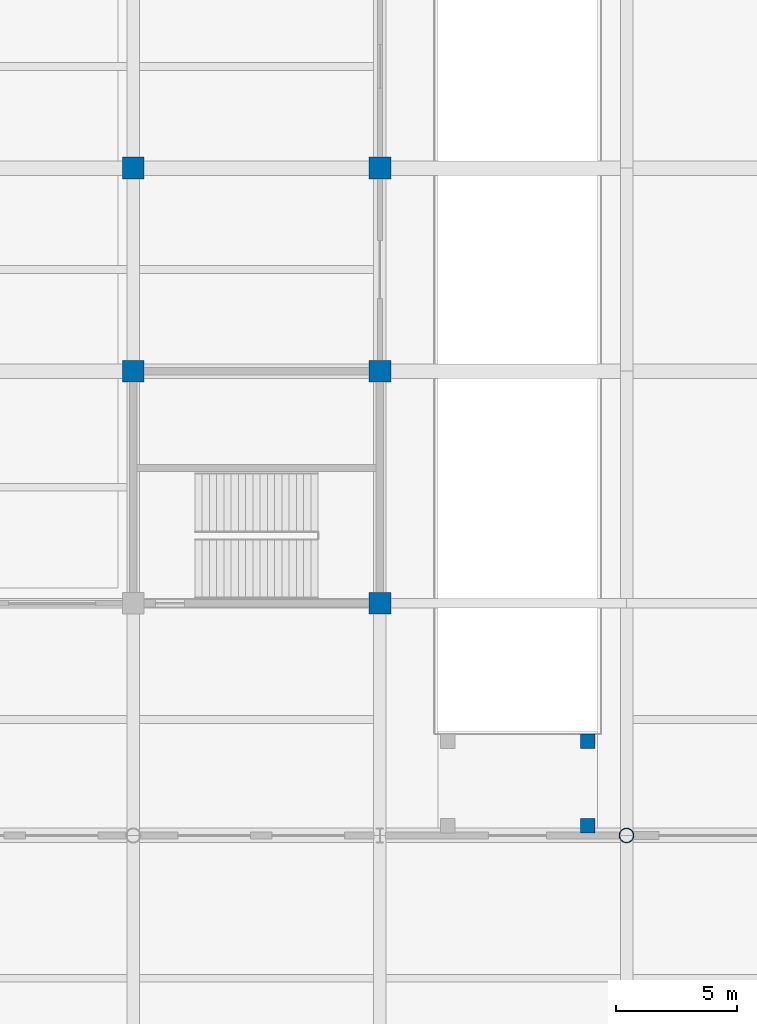
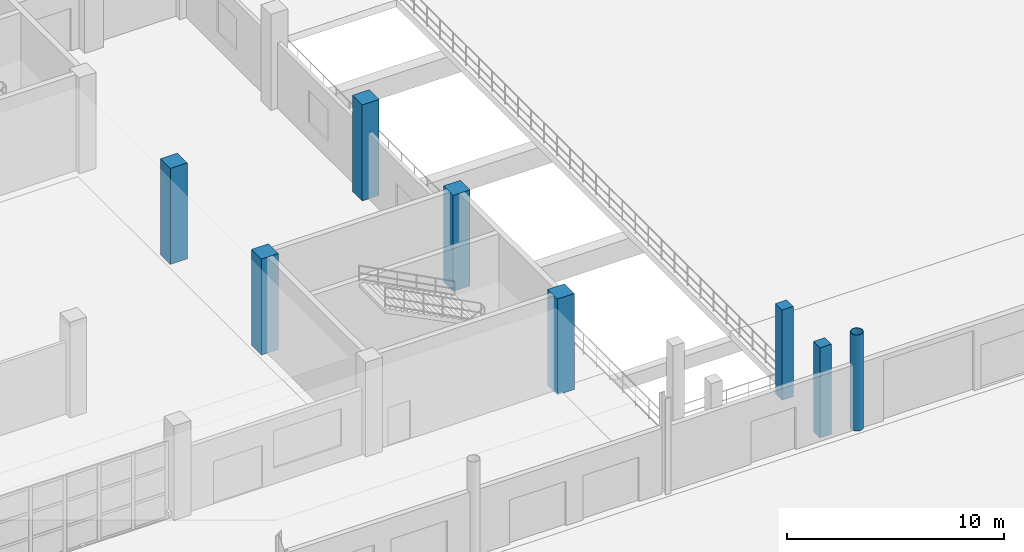
# One storey, part 9 of 124: 8 columns.
"""IFC4 building model written with IfcOpenShell, lengths in metres."""

from ifc_helpers import new_model, si_unit, direction, frame, origin, origin_2d, place, context, subcontext, project, spatial, rectangle, hollow_circle, extrude, material, material_profile, profile_set, type_object, element, save


model = new_model("IFC4")

# Units and contexts
model_context = context("Model", 3, precision=1e-05, world=origin(), true_north=direction((0.0, 1.0)))
body_context = subcontext(model_context, "Body", "Model", "MODEL_VIEW")
ifc_project = project(units=[si_unit("LENGTHUNIT", "METRE"), si_unit("AREAUNIT", "SQUARE_METRE"), si_unit("VOLUMEUNIT", "CUBIC_METRE"), si_unit("PLANEANGLEUNIT", "RADIAN"), si_unit("MASSUNIT", "GRAM", prefix="KILO")], contexts=[model_context])

# Site, building, storey
site_placement = place(None, origin())
site = spatial("IfcSite", under=ifc_project, at=site_placement, CompositionType="ELEMENT")
building_placement = place(site_placement, origin())
building = spatial("IfcBuilding", under=site, at=building_placement, Name="Brelvane Convention Centre", CompositionType="ELEMENT")
storey_placement = place(building_placement, origin())
storey = spatial("IfcBuildingStorey", under=building, at=storey_placement, Name="L00", CompositionType="ELEMENT", Elevation=0.0)

# Columns
ifc_material_1 = material(Name="Concrete M50", Category="concrete")
ifc_material_profile_1 = material_profile(ifc_material_1, rectangle(XDim=0.89990234375, YDim=0.89990234375, at=origin_2d()), Name="RC 900x900")
ifc_profile_set_1 = profile_set([ifc_material_profile_1], Name="Concrete M50")
column_type_1 = type_object("IfcColumnType", Name="RC Column C-RC2 (RC 900x900)", PredefinedType="COLUMN", material=ifc_profile_set_1)
for number, where, z_axis, x_axis, name in (
    (1, (102.0, 118.800048828125, 0.0), (0.0, 0.0, 1.0), (1.0, 0.0, 0.0), "Column 11-M (L00)"),
    (2, (102.0, 127.199951171875, 0.0), (0.0, 0.0, 1.0), (1.0, 0.0, 0.0), "Column 11-N (L00)"),
    (3, (112.199951171875, 109.199951171875, 0.0), (0.0, 0.0, 1.0), (1.0, 0.0, 0.0), "Column 12-L (L00)"),
    (4, (112.199951171875, 118.800048828125, 0.0), (0.0, 0.0, 1.0), (1.0, 0.0, 0.0), "Column 12-M (L00)"),
    (5, (112.199951171875, 127.199951171875, 0.0), (0.0, 0.0, 1.0), (1.0, 0.0, 0.0), "Column 12-N (L00)"),
):
    element("IfcColumn", number, at=place(storey_placement, frame(where, z_axis=z_axis, x_axis=x_axis)), inside=storey, type_object=column_type_1, Name=name, PredefinedType="COLUMN", context=body_context, shape_type="SweptSolid", body=[
        extrude(rectangle(XDim=0.89990234375, YDim=0.89990234375, at=origin_2d()), origin(), (0.0, 0.0, 1.0), 5.39990234375),
    ])
ifc_material_2 = material(Name="Concrete M50", Category="concrete")
ifc_material_profile_2 = material_profile(ifc_material_2, rectangle(XDim=0.60009765625, YDim=0.60009765625, at=origin_2d()), Name="RC 600x600")
ifc_profile_set_2 = profile_set([ifc_material_profile_2], Name="Concrete M50")
column_type_2 = type_object("IfcColumnType", Name="RC Column C-RC4 (RC 600x600)", PredefinedType="COLUMN", material=ifc_profile_set_2)
for number, where, z_axis, x_axis, name in (
    (6, (120.800048828125, 100.0, 0.0), (0.0, 0.0, 1.0), (1.0, 0.0, 0.0), "VR1 South L00 Column 2"),
    (7, (120.800048828125, 103.5, 0.0), (0.0, 0.0, 1.0), (1.0, 0.0, 0.0), "VR1 South L00 Column 4"),
):
    element("IfcColumn", number, at=place(storey_placement, frame(where, z_axis=z_axis, x_axis=x_axis)), inside=storey, type_object=column_type_2, Name=name, PredefinedType="COLUMN", context=body_context, shape_type="SweptSolid", body=[
        extrude(rectangle(XDim=0.60009765625, YDim=0.60009765625, at=origin_2d()), origin(), (0.0, 0.0, 1.0), 5.080078125),
    ])
ifc_material_3 = material(Name="Steel E450 (450 MPa)", Category="steel")
ifc_material_profile_3 = material_profile(ifc_material_3, hollow_circle(Radius=0.304931640625, WallThickness=0.02490234375, at=origin_2d()), Name="CHS 610.0x25.0")
ifc_profile_set_3 = profile_set([ifc_material_profile_3], Name="Steel E450 (450 MPa)")
column_type_3 = type_object("IfcColumnType", Name="Steel Column C-ST1 (CHS 610.0x25.0)", PredefinedType="COLUMN", material=ifc_profile_set_3)
column_placement = place(storey_placement, frame((122.39990234375, 99.60009765625, 0.0), z_axis=(0.0, 0.0, 1.0), x_axis=(1.0, 0.0, 0.0)))
element("IfcColumn", 8, at=column_placement, inside=storey, type_object=column_type_3, Name="Column 13-K (L00)", PredefinedType="COLUMN", context=body_context, shape_type="SweptSolid", body=[
    extrude(hollow_circle(Radius=0.304931640625, WallThickness=0.02490234375, at=origin_2d()), origin(), (0.0, 0.0, 1.0), 5.39990234375),
])

save(model, "model.ifc")
